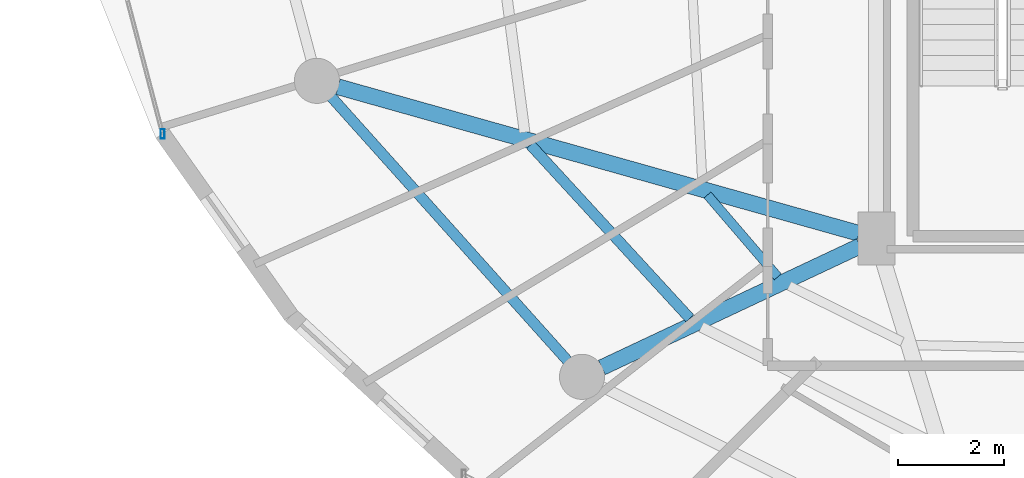
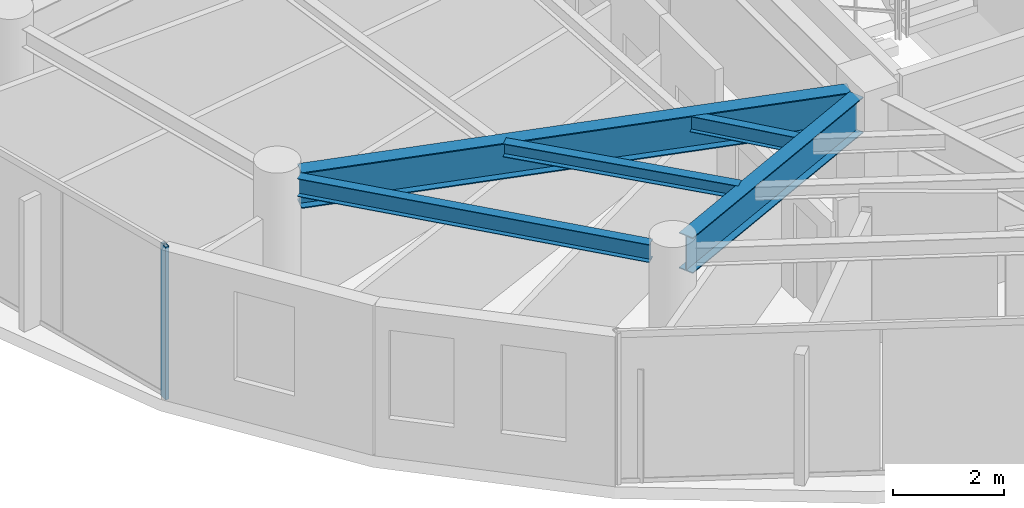
# One storey, part 3 of 29: 5 beams, 1 member, 1 element without a shape of its own.
"""IFC4 building model written with IfcOpenShell, lengths in metres."""

from ifc_helpers import new_model, si_unit, direction, frame, origin, origin_2d, place, context, subcontext, project, spatial, hollow_rectangle, i_section, extrude, material, material_profile, profile_set, type_object, element, aggregate, save


model = new_model("IFC4")

# Units and contexts
model_context = context("Model", 3, precision=1e-05, world=origin(), true_north=direction((0.0, 1.0)))
body_context = subcontext(model_context, "Body", "Model", "MODEL_VIEW")
ifc_project = project(units=[si_unit("LENGTHUNIT", "METRE"), si_unit("AREAUNIT", "SQUARE_METRE"), si_unit("VOLUMEUNIT", "CUBIC_METRE"), si_unit("PLANEANGLEUNIT", "RADIAN"), si_unit("MASSUNIT", "GRAM", prefix="KILO")], contexts=[model_context])

# Site, building, storey
site_placement = place(None, origin())
site = spatial("IfcSite", under=ifc_project, at=site_placement, CompositionType="ELEMENT")
building_placement = place(site_placement, origin())
building = spatial("IfcBuilding", under=site, at=building_placement, Name="Vorneva Point Tower", CompositionType="ELEMENT")
storey_placement = place(building_placement, frame((0.0, 0.0, 273.300048828125)))
storey = spatial("IfcBuildingStorey", under=building, at=storey_placement, Name="L74", CompositionType="ELEMENT", Elevation=273.300048828125)

# Beams
ifc_material_1 = material(Name="Steel S355", Category="steel")
ifc_material_profile_1 = material_profile(ifc_material_1, i_section(OverallWidth=0.300048828125, OverallDepth=0.7880859375, WebThickness=0.014404296875, FlangeThickness=0.02197265625, at=origin_2d()), Name="80Sh1")
ifc_profile_set_1 = profile_set([ifc_material_profile_1], Name="Steel S355")
beam_type_1 = type_object("IfcBeamType", Name="BM-GRD-80Sh1", PredefinedType="USERDEFINED", material=ifc_profile_set_1)
beam_1_placement = place(storey_placement, frame((17.102294921875, 19.305908203125, 2.89599609375), z_axis=(0.962601026021, -0.270922986664, 0.0), x_axis=(0.270922986664, 0.962601026021, 0.0)))
element("IfcBeam", 1, at=beam_1_placement, inside=storey, type_object=beam_type_1, Name="L74 Radial Primary Girder 10", ObjectType="GIRDER", PredefinedType="USERDEFINED", context=body_context, shape_type="SweptSolid", body=[
    extrude(i_section(OverallWidth=0.300048828125, OverallDepth=0.7880859375, WebThickness=0.014404296875, FlangeThickness=0.02197265625, at=origin_2d()), origin(), (0.0, 0.0, 1.0), 10.201904296875),
])
beam_2_placement = place(storey_placement, frame((22.074951171875, 14.013671875, 2.89599609375), z_axis=(0.904750812805, 0.425941271455, 0.0), x_axis=(-0.425941271455, 0.904750812805, 0.0)))
element("IfcBeam", 2, at=beam_2_placement, inside=storey, type_object=beam_type_1, Name="L74 Radial Primary Girder 11", ObjectType="GIRDER", PredefinedType="USERDEFINED", context=body_context, shape_type="SweptSolid", body=[
    extrude(i_section(OverallWidth=0.300048828125, OverallDepth=0.7880859375, WebThickness=0.014404296875, FlangeThickness=0.02197265625, at=origin_2d()), origin(), (0.0, 0.0, 1.0), 5.3798828125),
])
ifc_material_profile_2 = material_profile(ifc_material_1, i_section(OverallWidth=0.199951171875, OverallDepth=0.291015625, WebThickness=0.008056640625, FlangeThickness=0.010986328125, at=origin_2d()), Name="30Sh1")
ifc_profile_set_2 = profile_set([ifc_material_profile_2], Name="Steel S355")
beam_type_2 = type_object("IfcBeamType", Name="BM-SEC-30Sh1", PredefinedType="BEAM", material=ifc_profile_set_2)
beam_3_placement = place(storey_placement, frame((20.73095703125, 18.209228515625, 3.14453125), z_axis=(0.676496329172, -0.736446003871, 0.0), x_axis=(0.736446003871, 0.676496329172, 0.0)))
element("IfcBeam", 3, at=beam_3_placement, inside=storey, type_object=beam_type_2, Name="L74 Secondary Floor Beam 1.10", PredefinedType="BEAM", context=body_context, shape_type="SweptSolid", body=[
    extrude(i_section(OverallWidth=0.199951171875, OverallDepth=0.291015625, WebThickness=0.008056640625, FlangeThickness=0.010986328125, at=origin_2d()), origin(), (0.0, 0.0, 1.0), 4.43896484375),
])
ifc_material_profile_3 = material_profile(ifc_material_1, i_section(OverallWidth=0.174072265625, OverallDepth=0.345947265625, WebThickness=0.006103515625, FlangeThickness=0.009033203125, at=origin_2d()), Name="35B1")
ifc_profile_set_3 = profile_set([ifc_material_profile_3], Name="Steel S355")
beam_type_3 = type_object("IfcBeamType", Name="BM-SEC-35B1", PredefinedType="BEAM", material=ifc_profile_set_3)
beam_4_placement = place(storey_placement, frame((24.06640625, 17.2666015625, 3.116943359375), z_axis=(0.651452972558, -0.758689017019, 0.0), x_axis=(0.758689017019, 0.651452972558, 0.0)))
element("IfcBeam", 4, at=beam_4_placement, inside=storey, type_object=beam_type_3, Name="L74 Secondary Floor Beam 2.10", PredefinedType="BEAM", context=body_context, shape_type="SweptSolid", body=[
    extrude(i_section(OverallWidth=0.174072265625, OverallDepth=0.345947265625, WebThickness=0.006103515625, FlangeThickness=0.009033203125, at=origin_2d()), origin(), (0.0, 0.0, 1.0), 2.035400390625),
])
ifc_material_profile_4 = material_profile(ifc_material_1, i_section(OverallWidth=0.198974609375, OverallDepth=0.39599609375, WebThickness=0.007080078125, FlangeThickness=0.010986328125, at=origin_2d()), Name="40B1")
ifc_profile_set_4 = profile_set([ifc_material_profile_4], Name="Steel S355")
beam_type_4 = type_object("IfcBeamType", Name="BM-SPN-40B1", PredefinedType="SPANDREL", material=ifc_profile_set_4)
beam_5_placement = place(storey_placement, frame((16.97802734375, 19.1123046875, 3.092041015625), z_axis=(0.667108282638, -0.744960763554, 0.0), x_axis=(0.744960763554, 0.667108282638, 0.0)))
element("IfcBeam", 5, at=beam_5_placement, inside=storey, type_object=beam_type_4, Name="L74 Perimeter Spandrel Ring Beam 10", PredefinedType="SPANDREL", context=body_context, shape_type="SweptSolid", body=[
    extrude(i_section(OverallWidth=0.198974609375, OverallDepth=0.39599609375, WebThickness=0.007080078125, FlangeThickness=0.010986328125, at=origin_2d()), origin(), (0.0, 0.0, 1.0), 6.670166015625),
])

# Curtain wall, member
ifc_material_2 = material(Name="Pale anodised aluminium", Category="aluminium")
curtain_wall_type = type_object("IfcCurtainWallType", Name="CW-RES-SYS", PredefinedType="NOTDEFINED", material=ifc_material_2)
curtain_wall_placement = place(storey_placement, origin())
curtain_wall = element("IfcCurtainWall", 6, at=curtain_wall_placement, inside=storey, type_object=curtain_wall_type, Name="L74 Unitised Curtain Wall CW-L74-R03", PredefinedType="NOTDEFINED")
ifc_material_profile_5 = material_profile(ifc_material_2, hollow_rectangle(XDim=0.074951171875, YDim=0.179931640625, WallThickness=0.00390625, at=origin_2d()), Name="AL-MUL 180x75x4")
ifc_profile_set_5 = profile_set([ifc_material_profile_5], Name="Pale anodised aluminium")
member_type = type_object("IfcMemberType", Name="CW-MUL-180", PredefinedType="MULLION", material=ifc_profile_set_5)
member_placement = place(storey_placement, frame((13.79443359375, 18.4189453125, -0.0400390625), z_axis=(0.0, 0.0, 1.0), x_axis=(1.0, 0.0, 0.0)))
member = element("IfcMember", 7, at=member_placement, type_object=member_type, Name="CW-L74-R03 Mullion 04", PredefinedType="MULLION", context=body_context, shape_type="SweptSolid", body=[
    extrude(hollow_rectangle(XDim=0.074951171875, YDim=0.179931640625, WallThickness=0.00390625, at=origin_2d()), origin(), (0.0, 0.0, 1.0), 3.360107421875),
])
aggregate(curtain_wall, [member])

save(model, "model.ifc")
